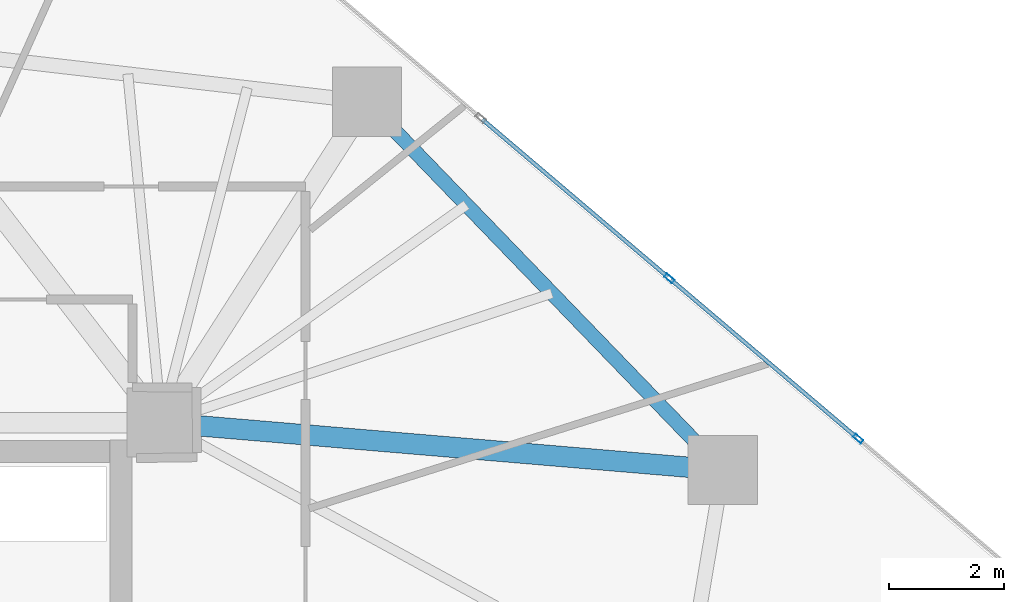
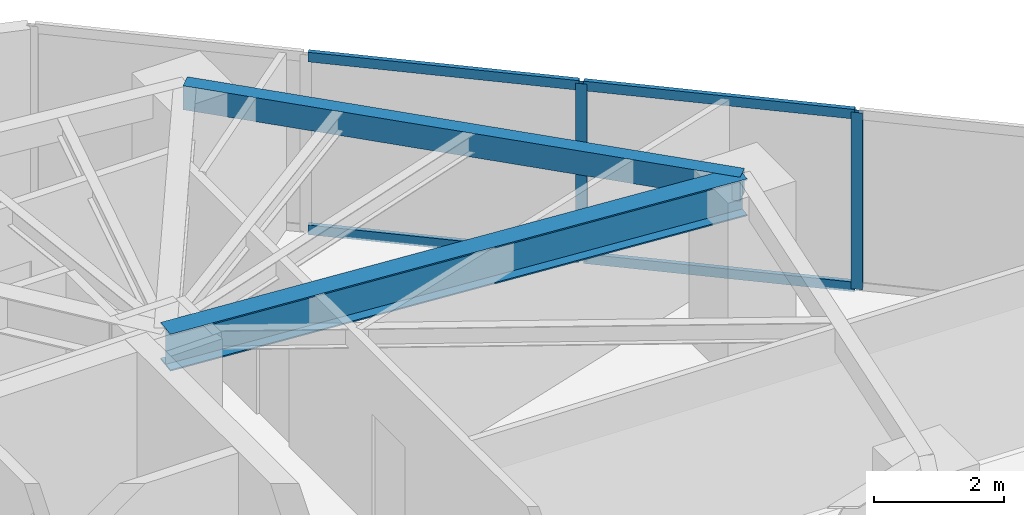
# One storey, part 14 of 24: 6 members, 2 beams, 1 element without a shape of its own.
"""IFC4 building model written with IfcOpenShell, lengths in metres."""

import ifcopenshell
import ifcopenshell.guid

model = None  # the IFC model being written
_history = None  # IfcOwnerHistory: only IFC2X3 demands one
_inside = {}  # id of a spatial element -> (the spatial element, [elements in it])
_under = {}  # id of a project, library or spatial element -> (it, [spatial elements below it])
_declared = {}  # id of a project -> (the project, [libraries it declares])
_typed = {}  # id of a type object -> (the type object, [elements of that type])
_made_of = {}  # id of a material, layer set ... -> (it, [elements and type objects made of it])


def new_model(schema):
    """Start an empty IFC model of exactly this schema.

    Asked for "IFC4X3", IfcOpenShell would pick the latest addendum, in which some entities
    have other attributes; the version numbers below select the first issue.
    IFC2X3 requires an IfcOwnerHistory on every rooted entity: one is made here for all.
    """
    global model, _history
    if schema == "IFC4X3":
        model = ifcopenshell.file(schema_version=(4, 3, 0, 0))
    else:
        model = ifcopenshell.file(schema=schema)
    _inside.clear()
    _under.clear()
    _declared.clear()
    _typed.clear()
    _made_of.clear()
    _history = None
    if model.schema == "IFC2X3":
        org = make("IfcOrganization", Name="unknown")
        user = make(
            "IfcPersonAndOrganization",
            ThePerson=make("IfcPerson", FamilyName="unknown"),
            TheOrganization=org,
        )
        app = make(
            "IfcApplication",
            ApplicationDeveloper=org,
            Version="unknown",
            ApplicationFullName="unknown",
            ApplicationIdentifier="unknown",
        )
        _history = make(
            "IfcOwnerHistory",
            OwningUser=user,
            OwningApplication=app,
            ChangeAction="ADDED",
            CreationDate=0,
        )
    return model


def make(cls, **values):
    """One entity of the class cls with the attributes given. An attribute that is None is left unset."""
    return model.create_entity(
        cls, **{name: value for name, value in values.items() if value is not None}
    )


def rooted(cls, **values):
    """An entity with a GlobalId (a new one), such as an element, a storey or a relation."""
    return make(cls, GlobalId=ifcopenshell.guid.new(), OwnerHistory=_history, **values)


def si_unit(unit_type, name, prefix=None):
    """IfcSIUnit, for example si_unit("LENGTHUNIT", "METRE", prefix="MILLI")."""
    return make("IfcSIUnit", UnitType=unit_type, Prefix=prefix, Name=name)


def assignment(units):
    """IfcUnitAssignment: the units of a project."""
    return None if units is None else make("IfcUnitAssignment", Units=units)


def point(xyz):
    """IfcCartesianPoint."""
    return None if xyz is None else make("IfcCartesianPoint", Coordinates=xyz)


def direction(xyz):
    """IfcDirection."""
    return None if xyz is None else make("IfcDirection", DirectionRatios=xyz)


def frame(location, z_axis=None, x_axis=None):
    """IfcAxis2Placement3D, a coordinate frame: its origin and axes. An axis left out is left unset."""
    return make(
        "IfcAxis2Placement3D",
        Location=point(location),
        Axis=direction(z_axis),
        RefDirection=direction(x_axis),
    )


def frame_2d(location, x_axis=None):
    """IfcAxis2Placement2D, a coordinate frame in the plane: its origin and x axis."""
    return make(
        "IfcAxis2Placement2D", Location=point(location), RefDirection=direction(x_axis)
    )


def origin():
    """The frame at (0, 0, 0) with its axes left unset."""
    return frame((0.0, 0.0, 0.0))


def origin_2d():
    """The frame at (0, 0) in the plane with its x axis left unset."""
    return frame_2d((0.0, 0.0))


def place(relative_to, where):
    """IfcLocalPlacement: puts the frame where relative to a parent placement (None: the world)."""
    return make(
        "IfcLocalPlacement", PlacementRelTo=relative_to, RelativePlacement=where
    )


def context(
    kind, dimensions, precision=None, world=None, true_north=None, identifier=None
):
    """IfcGeometricRepresentationContext, for example the 3D "Model" context."""
    return make(
        "IfcGeometricRepresentationContext",
        ContextIdentifier=identifier,
        ContextType=kind,
        CoordinateSpaceDimension=dimensions,
        Precision=precision,
        WorldCoordinateSystem=world,
        TrueNorth=true_north,
    )


def subcontext(parent, identifier, kind, view, scale=None):
    """IfcGeometricRepresentationSubContext, for example "Body" below "Model"."""
    return make(
        "IfcGeometricRepresentationSubContext",
        ContextIdentifier=identifier,
        ContextType=kind,
        ParentContext=parent,
        TargetScale=scale,
        TargetView=view,
    )


def project(units=None, contexts=None):
    """IfcProject with its units and contexts."""
    return rooted(
        "IfcProject",
        Name="project",
        RepresentationContexts=contexts,
        UnitsInContext=assignment(units),
    )


def spatial(cls, under=None, at=None, **own):
    """A site, building, storey or space (cls), placed at a placement, below another one or the project."""
    s = rooted(cls, ObjectPlacement=at, **own)
    if under is not None:
        _under.setdefault(under.id(), (under, []))[1].append(s)
    return s


def profile(cls, at=None, kind="AREA", **sizes):
    """A parametric profile (cls). Its sizes go by their IFC names, for example OverallWidth=200.0."""
    return make(cls, ProfileType=kind, Position=at, **sizes)


def hollow_rectangle(**sizes):
    """IfcRectangleHollowProfileDef."""
    return profile("IfcRectangleHollowProfileDef", **sizes)


def i_section(**sizes):
    """IfcIShapeProfileDef."""
    return profile("IfcIShapeProfileDef", **sizes)


def extrude(swept, where, along, depth):
    """IfcExtrudedAreaSolid: the profile swept, set in the frame where, extruded along a direction by depth."""
    return make(
        "IfcExtrudedAreaSolid",
        SweptArea=swept,
        Position=where,
        ExtrudedDirection=direction(along),
        Depth=depth,
    )


def shape(context_of_items, identifier, shape_type, items):
    """IfcShapeRepresentation: the items that make up one representation, for example the "Body"."""
    return make(
        "IfcShapeRepresentation",
        ContextOfItems=context_of_items,
        RepresentationIdentifier=identifier,
        RepresentationType=shape_type,
        Items=items,
    )


def source(mapping_origin, context_of_items, identifier, shape_type, items):
    """IfcRepresentationMap: a shape defined once, which mapped items show again and again."""
    return make(
        "IfcRepresentationMap",
        MappingOrigin=mapping_origin,
        MappedRepresentation=shape(context_of_items, identifier, shape_type, items),
    )


def transform(
    local_origin,
    x_axis=None,
    y_axis=None,
    z_axis=None,
    scale=None,
    scale2=None,
    scale3=None,
    uniform=True,
):
    """IfcCartesianTransformationOperator3D, or its non-uniform kind. x_axis, y_axis, z_axis: its Axis1, 2, 3."""
    if uniform:
        return make(
            "IfcCartesianTransformationOperator3D",
            Axis1=direction(x_axis),
            Axis2=direction(y_axis),
            LocalOrigin=point(local_origin),
            Scale=scale,
            Axis3=direction(z_axis),
        )
    return make(
        "IfcCartesianTransformationOperator3DnonUniform",
        Axis1=direction(x_axis),
        Axis2=direction(y_axis),
        LocalOrigin=point(local_origin),
        Scale=scale,
        Axis3=direction(z_axis),
        Scale2=scale2,
        Scale3=scale3,
    )


def mapped(mapping_source, mapping_target):
    """IfcMappedItem: shows the shape of a source again, moved by a transform."""
    return make(
        "IfcMappedItem", MappingSource=mapping_source, MappingTarget=mapping_target
    )


def material(Name=None, Category=None):
    """IfcMaterial."""
    return make("IfcMaterial", Name=Name, Category=Category)


def layer(
    of_material, thickness, ventilated=None, Name=None, Category=None, Priority=None
):
    """IfcMaterialLayer: one layer of a wall or slab, of a material (None: an air gap)."""
    return make(
        "IfcMaterialLayer",
        Material=of_material,
        LayerThickness=thickness,
        IsVentilated=ventilated,
        Name=Name,
        Category=Category,
        Priority=Priority,
    )


def layer_set(layers, Name=None):
    """IfcMaterialLayerSet."""
    return make("IfcMaterialLayerSet", MaterialLayers=layers, LayerSetName=Name)


def material_profile(
    of_material, cross_section, Name=None, Category=None, Priority=None
):
    """IfcMaterialProfile: a cross section and its material."""
    return make(
        "IfcMaterialProfile",
        Name=Name,
        Material=of_material,
        Profile=cross_section,
        Priority=Priority,
        Category=Category,
    )


def profile_set(profiles, Name=None, composite=None):
    """IfcMaterialProfileSet."""
    return make(
        "IfcMaterialProfileSet",
        Name=Name,
        MaterialProfiles=profiles,
        CompositeProfile=composite,
    )


def made_of(thing, what):
    """Note that an element or type object is made of a material, layer set ...; save() writes the relation."""
    if what is not None:
        _made_of.setdefault(what.id(), (what, []))[1].append(thing)
    return thing


def type_object(cls, material=None, **own):
    """A type object (cls), such as IfcWallType, which elements share."""
    return made_of(rooted(cls, **own), material)


def type_shapes(of_type, sources):
    """Give a type object the sources (RepresentationMaps) that its elements show as mapped items."""
    of_type.RepresentationMaps = sources


def element(
    cls,
    number,
    at=None,
    inside=None,
    cuts=None,
    type_object=None,
    material=None,
    context=None,
    identifier="Body",
    shape_type=None,
    held_by="IfcProductDefinitionShape",
    body=None,
    shapes=None,
    **own,
):
    """One element of the class cls, such as IfcWall. Its Tag is "e" and its number.

    at: its placement. inside: the storey or other place that contains it. cuts: it is an
    opening in that element (IfcRelVoidsElement). A single representation is given by context,
    identifier, shape_type and body (its items); several are given by shapes. held_by: the class
    of the entity that holds the representations. save() writes the other relations.
    """
    e = rooted(cls, Tag="e%d" % number, ObjectPlacement=at, **own)
    if body is not None:
        shapes = [shape(context, identifier, shape_type, body)]
    if shapes is not None:
        e.Representation = make(held_by, Representations=shapes)
    if inside is not None:
        _inside.setdefault(inside.id(), (inside, []))[1].append(e)
    if cuts is not None:
        rooted(
            "IfcRelVoidsElement", RelatingBuildingElement=cuts, RelatedOpeningElement=e
        )
    if type_object is not None:
        _typed.setdefault(type_object.id(), (type_object, []))[1].append(e)
    return made_of(e, material)


def aggregate(whole, parts):
    """IfcRelAggregates: a whole, such as a stair, and the parts it consists of."""
    return rooted("IfcRelAggregates", RelatingObject=whole, RelatedObjects=parts)


def save(model, path):
    """Write the relations noted so far, then the file.

    IfcRelAggregates (storeys below a building ...), IfcRelContainedInSpatialStructure (elements
    in a storey), IfcRelDefinesByType, IfcRelAssociatesMaterial and IfcRelDeclares: one each for
    every whole, place, type object, material and project.
    """
    for whole, parts in _under.values():
        aggregate(whole, parts)
    for where, things in _inside.values():
        rooted(
            "IfcRelContainedInSpatialStructure",
            RelatedElements=things,
            RelatingStructure=where,
        )
    for kind, things in _typed.values():
        rooted("IfcRelDefinesByType", RelatedObjects=things, RelatingType=kind)
    for what, things in _made_of.values():
        rooted("IfcRelAssociatesMaterial", RelatedObjects=things, RelatingMaterial=what)
    for by, libraries in _declared.values():
        rooted("IfcRelDeclares", RelatingContext=by, RelatedDefinitions=libraries)
    model.write(path)


model = new_model("IFC4")

# Units and contexts
model_context = context("Model", 3, precision=1e-05, world=origin(), true_north=direction((0.0, 1.0)))
body_context = subcontext(model_context, "Body", "Model", "MODEL_VIEW")
ifc_project = project(units=[si_unit("LENGTHUNIT", "METRE"), si_unit("AREAUNIT", "SQUARE_METRE"), si_unit("VOLUMEUNIT", "CUBIC_METRE"), si_unit("PLANEANGLEUNIT", "RADIAN"), si_unit("MASSUNIT", "GRAM", prefix="KILO")], contexts=[model_context])

# Site, building, storey
site_placement = place(None, origin())
site = spatial("IfcSite", under=ifc_project, at=site_placement, CompositionType="ELEMENT")
building_placement = place(site_placement, origin())
building = spatial("IfcBuilding", under=site, at=building_placement, Name="Talar Marvaseh", CompositionType="ELEMENT")
storey_placement = place(building_placement, frame((0.0, 0.0, 114.60009765625)))
storey = spatial("IfcBuildingStorey", under=building, at=storey_placement, Name="L29", CompositionType="ELEMENT", Elevation=114.60009765625)

# Beams
ifc_material_1 = material(Name="Steel S355", Category="steel")
ifc_material_profile_1 = material_profile(ifc_material_1, hollow_rectangle(XDim=0.25, YDim=0.449951171875, WallThickness=0.01611328125, at=origin_2d()), Name="RHS450x250x16")
ifc_profile_set_1 = profile_set([ifc_material_profile_1], Name="Steel S355")
beam_type_1 = type_object("IfcBeamType", Name="Zone 2 Perimeter Spandrel Beam RHS450x250x16", PredefinedType="SPANDREL", material=ifc_profile_set_1)
beam_1_placement = place(storey_placement, frame((36.865966796875, 42.470947265625, 3.0849609375), z_axis=(0.694796856243, -0.719206040405, 0.0), x_axis=(0.719206040405, 0.694796856243, 0.0)))
element("IfcBeam", 1, at=beam_1_placement, inside=storey, type_object=beam_type_1, Name="L29 Zone 2 Perimeter Spandrel Beam RHS450x250x16", PredefinedType="SPANDREL", context=body_context, shape_type="SweptSolid", body=[
    extrude(hollow_rectangle(XDim=0.25, YDim=0.449951171875, WallThickness=0.01611328125, at=origin_2d()), origin(), (0.0, 0.0, 1.0), 8.891845703125),
])
ifc_material_profile_2 = material_profile(ifc_material_1, i_section(OverallWidth=0.35498046875, OverallDepth=0.695068359375, WebThickness=0.015380859375, FlangeThickness=0.02490234375, at=origin_2d()), Name="W690x217")
ifc_profile_set_2 = profile_set([ifc_material_profile_2], Name="Steel S355")
beam_type_2 = type_object("IfcBeamType", Name="Zone 2 Radial Floor Girder W690x217", PredefinedType="BEAM", material=ifc_profile_set_2)
beam_2_placement = place(storey_placement, frame((43.0439453125, 36.075927734375, 2.96240234375), z_axis=(-0.996443598923, 0.084262412527, 0.0), x_axis=(-0.084262412527, -0.996443598923, 0.0)))
element("IfcBeam", 2, at=beam_2_placement, inside=storey, type_object=beam_type_2, Name="L29 Zone 2 Radial Floor Girder W690x217", PredefinedType="BEAM", context=body_context, shape_type="SweptSolid", body=[
    extrude(i_section(OverallWidth=0.35498046875, OverallDepth=0.695068359375, WebThickness=0.015380859375, FlangeThickness=0.02490234375, at=origin_2d()), origin(), (0.0, 0.0, 1.0), 9.778564453125),
])

# Curtain wall, members
ifc_material_2 = material(Name="Architectural Aluminium", Category="aluminium")
ifc_layer = layer(ifc_material_2, 0.199951171875)
ifc_layer_set = layer_set([ifc_layer], Name="Architectural Aluminium")
curtain_wall_type = type_object("IfcCurtainWallType", Name="Unitised Acoustic Library Curtain Wall Z2", PredefinedType="NOTDEFINED", material=ifc_layer_set)
curtain_wall_placement = place(storey_placement, origin())
curtain_wall = element("IfcCurtainWall", 3, at=curtain_wall_placement, inside=storey, type_object=curtain_wall_type, Name="L29 Unitised Acoustic Library Curtain Wall Z2", PredefinedType="NOTDEFINED")
ifc_material_profile_3 = material_profile(ifc_material_2, hollow_rectangle(XDim=0.074951171875, YDim=0.179931640625, WallThickness=0.0048828125, at=origin_2d()), Name="RHS180x75x5")
ifc_profile_set_3 = profile_set([ifc_material_profile_3], Name="Architectural Aluminium")
member_type_1 = type_object("IfcMemberType", Name="Unitised Curtain Wall Transom RHS180x75x5", PredefinedType="USERDEFINED", material=ifc_profile_set_3)
shared_shape_1 = source(origin(), body_context, "Body", "SweptSolid", [
    extrude(hollow_rectangle(XDim=0.074951171875, YDim=0.179931640625, WallThickness=0.0048828125, at=origin_2d()), origin(), (0.0, 0.0, 1.0), 4.22314453125),
])
type_shapes(member_type_1, [shared_shape_1])
member_1_placement = place(storey_placement, frame((38.870361328125, 42.162841796875, 0.037353515625), z_axis=(0.762126144867, -0.647428559233, 0.0), x_axis=(0.647428559233, 0.762126144867, 0.0)))
member_1 = element("IfcMember", 4, at=member_1_placement, type_object=member_type_1, Name="CW-Z2 transom 2.1", ObjectType="TRANSOM", PredefinedType="USERDEFINED", context=body_context, shape_type="MappedRepresentation", body=[
    mapped(shared_shape_1, transform((0.0, 0.0, 0.0), x_axis=(1.0, 0.0, 0.0), y_axis=(0.0, 1.0, 0.0), z_axis=(0.0, 0.0, 1.0), scale=1.0)),
])
member_2_placement = place(storey_placement, frame((38.870361328125, 42.162841796875, 3.2724609375), z_axis=(0.762126144867, -0.647428559233, 0.0), x_axis=(0.647428559233, 0.762126144867, 0.0)))
member_2 = element("IfcMember", 5, at=member_2_placement, type_object=member_type_1, Name="CW-Z2 transom 2.2", ObjectType="TRANSOM", PredefinedType="USERDEFINED", context=body_context, shape_type="MappedRepresentation", body=[
    mapped(shared_shape_1, transform((0.0, 0.0, 0.0), x_axis=(1.0, 0.0, 0.0), y_axis=(0.0, 1.0, 0.0), z_axis=(0.0, 0.0, 1.0), scale=1.0)),
])
member_3_placement = place(storey_placement, frame((42.14599609375, 39.38037109375, 0.037353515625), z_axis=(0.762126144867, -0.647428559233, 0.0), x_axis=(0.647428559233, 0.762126144867, 0.0)))
member_3 = element("IfcMember", 6, at=member_3_placement, type_object=member_type_1, Name="CW-Z2 transom 3.1", ObjectType="TRANSOM", PredefinedType="USERDEFINED", context=body_context, shape_type="MappedRepresentation", body=[
    mapped(shared_shape_1, transform((0.0, 0.0, 0.0), x_axis=(1.0, 0.0, 0.0), y_axis=(0.0, 1.0, 0.0), z_axis=(0.0, 0.0, 1.0), scale=1.0)),
])
member_4_placement = place(storey_placement, frame((42.14599609375, 39.38037109375, 3.2724609375), z_axis=(0.762126144867, -0.647428559233, 0.0), x_axis=(0.647428559233, 0.762126144867, 0.0)))
member_4 = element("IfcMember", 7, at=member_4_placement, type_object=member_type_1, Name="CW-Z2 transom 3.2", ObjectType="TRANSOM", PredefinedType="USERDEFINED", context=body_context, shape_type="MappedRepresentation", body=[
    mapped(shared_shape_1, transform((0.0, 0.0, 0.0), x_axis=(1.0, 0.0, 0.0), y_axis=(0.0, 1.0, 0.0), z_axis=(0.0, 0.0, 1.0), scale=1.0)),
])
ifc_material_profile_4 = material_profile(ifc_material_2, hollow_rectangle(XDim=0.074951171875, YDim=0.179931640625, WallThickness=0.0048828125, at=origin_2d()), Name="RHS180x75x5")
ifc_profile_set_4 = profile_set([ifc_material_profile_4], Name="Architectural Aluminium")
member_type_2 = type_object("IfcMemberType", Name="Unitised Curtain Wall Standard Mullion RHS180x75x5", PredefinedType="MULLION", material=ifc_profile_set_4)
shared_shape_2 = source(origin(), body_context, "Body", "SweptSolid", [
    extrude(hollow_rectangle(XDim=0.074951171875, YDim=0.179931640625, WallThickness=0.0048828125, at=origin_2d()), origin(), (0.0, 0.0, 1.0), 3.309814453125),
])
type_shapes(member_type_2, [shared_shape_2])
member_5_placement = place(storey_placement, frame((42.117431640625, 39.404541015625, 0.0), z_axis=(0.0, 0.0, 1.0), x_axis=(0.647404401964, 0.762146665884, 0.0)))
member_5 = element("IfcMember", 8, at=member_5_placement, type_object=member_type_2, Name="CW-Z2 mullion 3", PredefinedType="MULLION", context=body_context, shape_type="MappedRepresentation", body=[
    mapped(shared_shape_2, transform((0.0, 0.0, 0.0), x_axis=(1.0, 0.0, 0.0), y_axis=(0.0, 1.0, 0.0), z_axis=(0.0, 0.0, 1.0), scale=1.0)),
])
member_6_placement = place(storey_placement, frame((45.39306640625, 36.6220703125, 0.0), z_axis=(0.0, 0.0, 1.0), x_axis=(0.647404401964, 0.762146665884, 0.0)))
member_6 = element("IfcMember", 9, at=member_6_placement, type_object=member_type_2, Name="CW-Z2 mullion 4", PredefinedType="MULLION", context=body_context, shape_type="MappedRepresentation", body=[
    mapped(shared_shape_2, transform((0.0, 0.0, 0.0), x_axis=(1.0, 0.0, 0.0), y_axis=(0.0, 1.0, 0.0), z_axis=(0.0, 0.0, 1.0), scale=1.0)),
])
aggregate(curtain_wall, [member_5, member_6, member_1, member_2, member_3, member_4])

save(model, "model.ifc")
